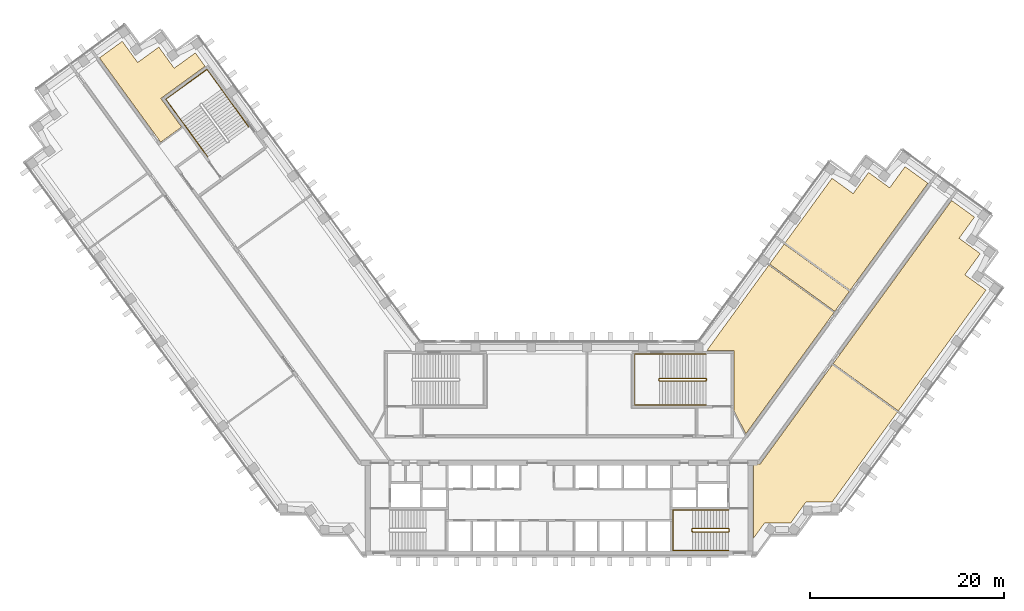
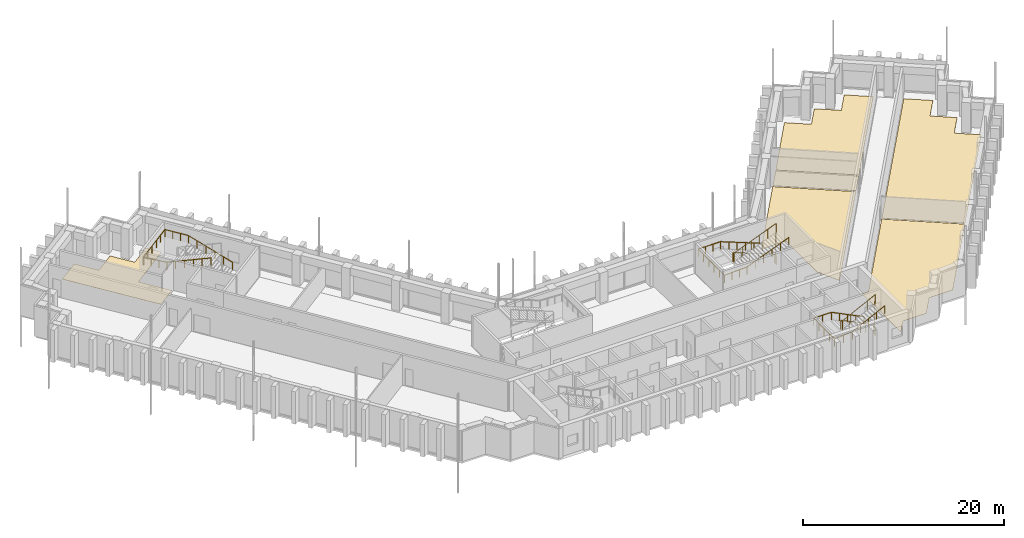
# One storey, part 16 of 16: 6 coverings, 5 railings.
"""IFC4 building model written with IfcOpenShell, lengths in metres."""

from ifc_helpers import new_model, si_unit, direction, frame, origin, origin_2d, place, context, subcontext, project, spatial, polyline, circle, outline, extrude, material, layer, layer_set, type_object, element, save


model = new_model("IFC4")

# Units and contexts
model_context = context("Model", 3, precision=1e-05, world=origin(), true_north=direction((0.0, 1.0)))
body_context = subcontext(model_context, "Body", "Model", "MODEL_VIEW")
ifc_project = project(units=[si_unit("LENGTHUNIT", "METRE"), si_unit("AREAUNIT", "SQUARE_METRE"), si_unit("VOLUMEUNIT", "CUBIC_METRE"), si_unit("PLANEANGLEUNIT", "RADIAN"), si_unit("MASSUNIT", "GRAM", prefix="KILO")], contexts=[model_context])

# Site, building, storey
site_placement = place(None, origin())
site = spatial("IfcSite", under=ifc_project, at=site_placement, CompositionType="ELEMENT")
building_placement = place(site_placement, origin())
building = spatial("IfcBuilding", under=site, at=building_placement, Name="Quipu Civic Tower", CompositionType="ELEMENT")
storey_placement = place(building_placement, frame((0.0, 0.0, 113.0)))
storey = spatial("IfcBuildingStorey", under=building, at=storey_placement, Name="L26", CompositionType="ELEMENT", Elevation=113.0)

# Coverings
ifc_material_1 = material(Name="Carpet tile on raised access floor")
ifc_layer_1 = layer(ifc_material_1, 0.02001953125)
ifc_layer_set_1 = layer_set([ifc_layer_1], Name="Carpet tile on raised access floor")
covering_type_1 = type_object("IfcCoveringType", Name="Carpet tile floor finish 20", PredefinedType="FLOORING", material=ifc_layer_set_1)
covering_1_placement = place(storey_placement, origin())
element("IfcCovering", 1, at=covering_1_placement, inside=storey, type_object=covering_type_1, Name="Carpet tile floor finish 20", PredefinedType="FLOORING", context=body_context, shape_type="SweptSolid", body=[
    extrude(outline(polyline([(15.238037109375, 10.169921875), (21.64794921875, 18.992919921875), (28.37109375, 14.10888671875), (19.27197265625, 1.583984375), (18.070068359375, 3.94189453125), (18.070068359375, 10.1689453125), (15.238037109375, 10.169921875)])), origin(), (0.0, 0.0, 1.0), 0.02001953125),
])
covering_2_placement = place(storey_placement, origin())
element("IfcCovering", 2, at=covering_2_placement, inside=storey, type_object=covering_type_1, Name="Carpet tile floor finish 20", PredefinedType="FLOORING", context=body_context, shape_type="SweptSolid", body=[
    extrude(outline(polyline([(20.070068359375, -9.195068359375), (20.070068359375, -1.52001953125), (20.77490234375, -1.51904296875), (28.208984375, 8.714111328125), (34.931884765625, 3.830078125), (28.181884765625, -5.4609375), (25.48193359375, -5.4619140625), (25.2080078125, -5.840087890625), (25.205078125, -5.841064453125), (25.200927734375, -5.843017578125), (25.197021484375, -5.844970703125), (25.193115234375, -5.847900390625), (25.18896484375, -5.85205078125), (25.18603515625, -5.85498046875), (25.18310546875, -5.85888671875), (25.179931640625, -5.863037109375), (25.177978515625, -5.867919921875), (25.177001953125, -5.8720703125), (25.175048828125, -5.876953125), (25.175048828125, -5.882080078125), (25.174072265625, -5.885986328125), (23.89501953125, -7.64599609375), (21.721923828125, -7.64599609375), (21.721923828125, -7.64599609375), (21.718017578125, -7.64306640625), (21.712890625, -7.64111328125), (21.708984375, -7.638916015625), (21.7041015625, -7.637939453125), (21.698974609375, -7.636962890625), (21.694091796875, -7.635986328125), (21.68896484375, -7.636962890625), (21.68408203125, -7.636962890625), (21.679931640625, -7.637939453125), (21.675048828125, -7.639892578125), (21.669921875, -7.64111328125), (21.666015625, -7.64404296875), (21.6630859375, -7.64599609375), (21.196044921875, -7.64599609375), (20.070068359375, -9.195068359375)])), origin(), (0.0, 0.0, 1.0), 0.02001953125),
])
covering_3_placement = place(storey_placement, origin())
element("IfcCovering", 3, at=covering_3_placement, inside=storey, type_object=covering_type_1, Name="Carpet tile floor finish 20", PredefinedType="FLOORING", context=body_context, shape_type="SweptSolid", body=[
    extrude(outline(polyline([(-47.471923828125, 40.39794921875), (-45.116943359375, 42.10791015625), (-43.531982421875, 39.925048828125), (-41.346923828125, 41.510986328125), (-39.760009765625, 39.326904296875), (-37.574951171875, 40.9130859375), (-36.570068359375, 39.530029296875), (-41.139892578125, 36.208984375), (-38.998046875, 33.260009765625), (-41.15087890625, 31.697021484375), (-47.471923828125, 40.39794921875)])), origin(), (0.0, 0.0, 1.0), 0.02001953125),
])
covering_4_placement = place(storey_placement, origin())
element("IfcCovering", 4, at=covering_4_placement, inside=storey, type_object=covering_type_1, Name="Carpet tile floor finish 20", PredefinedType="FLOORING", context=body_context, shape_type="SweptSolid", body=[
    extrude(outline(polyline([(28.2919921875, 8.826904296875), (40.52587890625, 25.666015625), (42.881103515625, 23.9560546875), (41.294921875, 21.77197265625), (43.47802734375, 20.18505859375), (41.89208984375, 17.9990234375), (44.074951171875, 16.4140625), (35.01611328125, 3.943115234375), (28.2919921875, 8.826904296875)])), origin(), (0.0, 0.0, 1.0), 0.02001953125),
])
ifc_material_2 = material(Name="Ceramic floor tile")
ifc_layer_2 = layer(ifc_material_2, 0.030029296875)
ifc_layer_set_2 = layer_set([ifc_layer_2], Name="Ceramic floor tile")
covering_type_2 = type_object("IfcCoveringType", Name="Ceramic tile floor finish 30", PredefinedType="FLOORING", material=ifc_layer_set_2)
covering_5_placement = place(storey_placement, origin())
element("IfcCovering", 5, at=covering_5_placement, inside=storey, type_object=covering_type_2, Name="Ceramic tile floor finish 30", PredefinedType="FLOORING", context=body_context, shape_type="SweptSolid", body=[
    extrude(outline(polyline([(21.73095703125, 19.10595703125), (23.235107421875, 21.177001953125), (29.9580078125, 16.29296875), (28.4541015625, 14.221923828125), (21.73095703125, 19.10595703125)])), origin(), (0.0, 0.0, 1.0), 0.030029296875),
])
ifc_material_3 = material(Name="Sealed cement screed")
ifc_layer_3 = layer(ifc_material_3, 0.050048828125)
ifc_layer_set_3 = layer_set([ifc_layer_3], Name="Sealed cement screed")
covering_type_3 = type_object("IfcCoveringType", Name="Sealed screed floor finish 50", PredefinedType="FLOORING", material=ifc_layer_set_3)
covering_6_placement = place(storey_placement, origin())
element("IfcCovering", 6, at=covering_6_placement, inside=storey, type_object=covering_type_3, Name="Sealed screed floor finish 50", PredefinedType="FLOORING", context=body_context, shape_type="SweptSolid", body=[
    extrude(outline(polyline([(23.318115234375, 21.2900390625), (28.169921875, 27.968994140625), (30.35400390625, 26.383056640625), (31.94091796875, 28.56591796875), (34.126953125, 26.97998046875), (35.712890625, 29.1640625), (38.06689453125, 27.4541015625), (30.041015625, 16.406005859375), (23.318115234375, 21.2900390625)])), origin(), (0.0, 0.0, 1.0), 0.050048828125),
])

# Railings
ifc_material_4 = material(Name="Stainless steel", Category="steel")
railing_type_1 = type_object("IfcRailingType", Name="Stair guard 1100", PredefinedType="GUARDRAIL", material=ifc_material_4)
railing_1_placement = place(storey_placement, frame((17.5, -8.199951171875, 0.15380859375)))
element("IfcRailing", 7, at=railing_1_placement, inside=storey, type_object=railing_type_1, Name="Stair 2 guard", PredefinedType="GUARDRAIL", context=body_context, shape_type="SweptSolid", body=[
    extrude(circle(Radius=0.02392578125, at=origin_2d()), frame((0.0, 0.0, 1.076171875), z_axis=(-0.895751851347, 0.0, 0.444554407028), x_axis=(0.0, -1.0, 0.0)), (0.0, 0.0, 1.0), 4.15283203125),
    extrude(circle(Radius=0.02392578125, at=origin_2d()), frame((-3.719970703125, 0.0, 2.92236328125), z_axis=(-0.707106781187, -0.707106781187, 0.0), x_axis=(0.707106781187, -0.707106781187, 0.0)), (0.0, 0.0, 1.0), 0.07080078125),
    extrude(circle(Radius=0.02392578125, at=origin_2d()), frame((-3.77001953125, -0.050048828125, 2.92236328125), z_axis=(0.0, -1.0, 0.0), x_axis=(1.0, 0.0, 0.0)), (0.0, 0.0, 1.0), 0.25),
    extrude(circle(Radius=0.02392578125, at=origin_2d()), frame((-3.77001953125, -0.300048828125, 2.92236328125), z_axis=(0.295599637079, -0.295599637079, 0.908428152975), x_axis=(0.707106781187, 0.707106781187, 0.0)), (0.0, 0.0, 1.0), 0.16943359375),
    extrude(circle(Radius=0.02392578125, at=origin_2d()), frame((-3.719970703125, -0.35009765625, 3.076171875), z_axis=(0.895751851347, 0.0, 0.444554407028), x_axis=(0.0, 1.0, 0.0)), (0.0, 0.0, 1.0), 4.15283203125),
    extrude(circle(Radius=0.02392578125, at=origin_2d()), frame((0.0, -0.35009765625, 4.92236328125), z_axis=(0.012476181752, 0.074796231092, -0.997120789425), x_axis=(-0.986372223864, 0.164529134168, 0.0)), (0.0, 0.0, 1.0), 4.011474609375),
    extrude(circle(Radius=0.02392578125, at=origin_2d()), frame((0.050048828125, -0.050048828125, 0.92236328125), z_axis=(0.0, -1.0, 0.0), x_axis=(1.0, 0.0, 0.0)), (0.0, 0.0, 1.0), 0.25),
    extrude(circle(Radius=0.02099609375, at=origin_2d()), origin(), (0.0, 0.0, 1.0), 1.052001953125),
    extrude(circle(Radius=0.02099609375, at=origin_2d()), frame((-0.929931640625, 0.0, 0.46142578125)), (0.0, 0.0, 1.0), 1.052001953125),
    extrude(circle(Radius=0.02099609375, at=origin_2d()), frame((-1.85986328125, 0.0, 0.923095703125)), (0.0, 0.0, 1.0), 1.052001953125),
    extrude(circle(Radius=0.02099609375, at=origin_2d()), frame((-2.7900390625, 0.0, 1.384765625)), (0.0, 0.0, 1.0), 1.052001953125),
    extrude(circle(Radius=0.02099609375, at=origin_2d()), frame((-3.719970703125, 0.0, 1.84619140625)), (0.0, 0.0, 1.0), 1.052001953125),
    extrude(circle(Radius=0.02099609375, at=origin_2d()), frame((-3.77001953125, -0.050048828125, 1.84619140625)), (0.0, 0.0, 1.0), 1.052001953125),
    extrude(circle(Radius=0.02099609375, at=origin_2d()), frame((-3.77001953125, -0.300048828125, 1.84619140625)), (0.0, 0.0, 1.0), 1.052001953125),
    extrude(circle(Radius=0.02099609375, at=origin_2d()), frame((-3.719970703125, -0.35009765625, 2.0)), (0.0, 0.0, 1.0), 1.052001953125),
    extrude(circle(Radius=0.02099609375, at=origin_2d()), frame((-2.7900390625, -0.35009765625, 2.46142578125)), (0.0, 0.0, 1.0), 1.052001953125),
    extrude(circle(Radius=0.02099609375, at=origin_2d()), frame((-1.85986328125, -0.35009765625, 2.923095703125)), (0.0, 0.0, 1.0), 1.052001953125),
    extrude(circle(Radius=0.02099609375, at=origin_2d()), frame((-0.929931640625, -0.35009765625, 3.384765625)), (0.0, 0.0, 1.0), 1.052001953125),
    extrude(circle(Radius=0.02099609375, at=origin_2d()), frame((0.0, -0.35009765625, 3.84619140625)), (0.0, 0.0, 1.0), 1.052001953125),
    extrude(circle(Radius=0.02099609375, at=origin_2d()), frame((0.012451171875, -0.275146484375, 2.84619140625)), (0.0, 0.0, 1.0), 1.052001953125),
    extrude(circle(Radius=0.02099609375, at=origin_2d()), frame((0.02490234375, -0.2001953125, 1.84619140625)), (0.0, 0.0, 1.0), 1.052001953125),
    extrude(circle(Radius=0.02099609375, at=origin_2d()), frame((0.03759765625, -0.125, 0.84619140625)), (0.0, 0.0, 1.0), 1.052001953125),
    extrude(circle(Radius=0.02099609375, at=origin_2d()), frame((0.050048828125, -0.050048828125, -0.15380859375)), (0.0, 0.0, 1.0), 1.052001953125),
    extrude(circle(Radius=0.02099609375, at=origin_2d()), frame((0.050048828125, -0.300048828125, -0.15380859375)), (0.0, 0.0, 1.0), 1.052001953125),
])
railing_2_placement = place(storey_placement, frame((15.14990234375, 7.300048828125, 0.11767578125)))
element("IfcRailing", 8, at=railing_2_placement, inside=storey, type_object=railing_type_1, Name="Stair 4 guard", PredefinedType="GUARDRAIL", context=body_context, shape_type="SweptSolid", body=[
    extrude(circle(Radius=0.02392578125, at=origin_2d()), frame((0.0, 0.0, 1.076171875), z_axis=(-0.930970042603, 0.0, 0.365095576219), x_axis=(0.0, -1.0, 0.0)), (0.0, 0.0, 1.0), 5.15576171875),
    extrude(circle(Radius=0.02392578125, at=origin_2d()), frame((-4.7998046875, 0.0, 2.95849609375), z_axis=(-0.707106781187, -0.707106781187, 0.0), x_axis=(0.707106781187, -0.707106781187, 0.0)), (0.0, 0.0, 1.0), 0.07080078125),
    extrude(circle(Radius=0.02392578125, at=origin_2d()), frame((-4.849853515625, -0.050048828125, 2.95849609375), z_axis=(0.0, -1.0, 0.0), x_axis=(1.0, 0.0, 0.0)), (0.0, 0.0, 1.0), 0.14990234375),
    extrude(circle(Radius=0.02392578125, at=origin_2d()), frame((-4.849853515625, -0.199951171875, 2.95849609375), z_axis=(0.364463019033, -0.364463019033, 0.856932561824), x_axis=(0.707106781187, 0.707106781187, 0.0)), (0.0, 0.0, 1.0), 0.13720703125),
    extrude(circle(Radius=0.02392578125, at=origin_2d()), frame((-4.7998046875, -0.25, 3.076171875), z_axis=(0.930970042603, 0.0, 0.365095576219), x_axis=(0.0, 1.0, 0.0)), (0.0, 0.0, 1.0), 5.15576171875),
    extrude(circle(Radius=0.02392578125, at=origin_2d()), frame((0.0, -0.25, 4.95849609375), z_axis=(0.012495627992, 0.049921557685, -0.998674970829), x_axis=(-0.970072785993, 0.242814311512, 0.0)), (0.0, 0.0, 1.0), 4.00537109375),
    extrude(circle(Radius=0.02392578125, at=origin_2d()), frame((0.050048828125, -0.050048828125, 0.95849609375), z_axis=(0.0, -1.0, 0.0), x_axis=(1.0, 0.0, 0.0)), (0.0, 0.0, 1.0), 0.14990234375),
    extrude(circle(Radius=0.02099609375, at=origin_2d()), origin(), (0.0, 0.0, 1.0), 1.052001953125),
    extrude(circle(Radius=0.02099609375, at=origin_2d()), frame((-0.9599609375, 0.0, 0.37646484375)), (0.0, 0.0, 1.0), 1.052001953125),
    extrude(circle(Radius=0.02099609375, at=origin_2d()), frame((-1.919921875, 0.0, 0.7529296875)), (0.0, 0.0, 1.0), 1.052001953125),
    extrude(circle(Radius=0.02099609375, at=origin_2d()), frame((-2.8798828125, 0.0, 1.12939453125)), (0.0, 0.0, 1.0), 1.052001953125),
    extrude(circle(Radius=0.02099609375, at=origin_2d()), frame((-3.83984375, 0.0, 1.505859375)), (0.0, 0.0, 1.0), 1.052001953125),
    extrude(circle(Radius=0.02099609375, at=origin_2d()), frame((-4.7998046875, 0.0, 1.88232421875)), (0.0, 0.0, 1.0), 1.052001953125),
    extrude(circle(Radius=0.02099609375, at=origin_2d()), frame((-4.849853515625, -0.050048828125, 1.88232421875)), (0.0, 0.0, 1.0), 1.052001953125),
    extrude(circle(Radius=0.02099609375, at=origin_2d()), frame((-4.849853515625, -0.199951171875, 1.88232421875)), (0.0, 0.0, 1.0), 1.052001953125),
    extrude(circle(Radius=0.02099609375, at=origin_2d()), frame((-4.7998046875, -0.25, 2.0)), (0.0, 0.0, 1.0), 1.052001953125),
    extrude(circle(Radius=0.02099609375, at=origin_2d()), frame((-3.83984375, -0.25, 2.37646484375)), (0.0, 0.0, 1.0), 1.052001953125),
    extrude(circle(Radius=0.02099609375, at=origin_2d()), frame((-2.8798828125, -0.25, 2.7529296875)), (0.0, 0.0, 1.0), 1.052001953125),
    extrude(circle(Radius=0.02099609375, at=origin_2d()), frame((-1.919921875, -0.25, 3.12939453125)), (0.0, 0.0, 1.0), 1.052001953125),
    extrude(circle(Radius=0.02099609375, at=origin_2d()), frame((-0.9599609375, -0.25, 3.505859375)), (0.0, 0.0, 1.0), 1.052001953125),
    extrude(circle(Radius=0.02099609375, at=origin_2d()), frame((0.0, -0.25, 3.88232421875)), (0.0, 0.0, 1.0), 1.052001953125),
    extrude(circle(Radius=0.02099609375, at=origin_2d()), frame((0.012451171875, -0.199951171875, 2.88232421875)), (0.0, 0.0, 1.0), 1.052001953125),
    extrude(circle(Radius=0.02099609375, at=origin_2d()), frame((0.02490234375, -0.14990234375, 1.88232421875)), (0.0, 0.0, 1.0), 1.052001953125),
    extrude(circle(Radius=0.02099609375, at=origin_2d()), frame((0.03759765625, -0.10009765625, 0.88232421875)), (0.0, 0.0, 1.0), 1.052001953125),
    extrude(circle(Radius=0.02099609375, at=origin_2d()), frame((0.050048828125, -0.050048828125, -0.11767578125)), (0.0, 0.0, 1.0), 1.052001953125),
    extrude(circle(Radius=0.02099609375, at=origin_2d()), frame((0.050048828125, -0.199951171875, -0.11767578125)), (0.0, 0.0, 1.0), 1.052001953125),
])
ifc_material_5 = material(Name="Stainless steel", Category="steel")
railing_type_2 = type_object("IfcRailingType", Name="Stair handrail", PredefinedType="HANDRAIL", material=ifc_material_5)
railing_3_placement = place(storey_placement, frame((17.5, -6.300048828125, 0.15380859375)))
element("IfcRailing", 9, at=railing_3_placement, inside=storey, type_object=railing_type_2, Name="Stair 2 handrail", PredefinedType="HANDRAIL", context=body_context, shape_type="SweptSolid", body=[
    extrude(circle(Radius=0.02392578125, at=origin_2d()), frame((0.0, 0.0, 0.8759765625), z_axis=(-0.895751851347, 0.0, 0.444554407028), x_axis=(0.0, -1.0, 0.0)), (0.0, 0.0, 1.0), 4.15283203125),
    extrude(circle(Radius=0.02392578125, at=origin_2d()), frame((-3.719970703125, 0.0, 2.72216796875), z_axis=(-1.0, 0.0, 0.0), x_axis=(0.0, -1.0, 0.0)), (0.0, 0.0, 1.0), 2.030029296875),
    extrude(circle(Radius=0.02392578125, at=origin_2d()), frame((-5.75, 0.0, 2.72216796875), z_axis=(0.0, -1.0, 0.0), x_axis=(1.0, 0.0, 0.0)), (0.0, 0.0, 1.0), 4.14990234375),
    extrude(circle(Radius=0.02392578125, at=origin_2d()), frame((-5.75, -4.14990234375, 2.72216796875), z_axis=(0.997142003663, 0.0, 0.075550145798), x_axis=(0.0, 1.0, 0.0)), (0.0, 0.0, 1.0), 2.035888671875),
    extrude(circle(Radius=0.02392578125, at=origin_2d()), frame((-3.719970703125, -4.14990234375, 2.8759765625), z_axis=(0.895751851347, 0.0, 0.444554407028), x_axis=(0.0, 1.0, 0.0)), (0.0, 0.0, 1.0), 4.15283203125),
    extrude(circle(Radius=0.02099609375, at=origin_2d()), origin(), (0.0, 0.0, 1.0), 0.851806640625),
    extrude(circle(Radius=0.02099609375, at=origin_2d()), frame((-0.929931640625, 0.0, 0.46142578125)), (0.0, 0.0, 1.0), 0.851806640625),
    extrude(circle(Radius=0.02099609375, at=origin_2d()), frame((-1.85986328125, 0.0, 0.923095703125)), (0.0, 0.0, 1.0), 0.851806640625),
    extrude(circle(Radius=0.02099609375, at=origin_2d()), frame((-2.7900390625, 0.0, 1.384765625)), (0.0, 0.0, 1.0), 0.851806640625),
    extrude(circle(Radius=0.02099609375, at=origin_2d()), frame((-3.719970703125, 0.0, 1.84619140625)), (0.0, 0.0, 1.0), 0.851806640625),
    extrude(circle(Radius=0.02099609375, at=origin_2d()), frame((-4.73486328125, 0.0, 1.84619140625)), (0.0, 0.0, 1.0), 0.851806640625),
    extrude(circle(Radius=0.02099609375, at=origin_2d()), frame((-5.75, 0.0, 1.84619140625)), (0.0, 0.0, 1.0), 0.851806640625),
    extrude(circle(Radius=0.02099609375, at=origin_2d()), frame((-5.75, -1.03759765625, 1.84619140625)), (0.0, 0.0, 1.0), 0.851806640625),
    extrude(circle(Radius=0.02099609375, at=origin_2d()), frame((-5.75, -2.074951171875, 1.84619140625)), (0.0, 0.0, 1.0), 0.851806640625),
    extrude(circle(Radius=0.02099609375, at=origin_2d()), frame((-5.75, -3.1123046875, 1.84619140625)), (0.0, 0.0, 1.0), 0.851806640625),
    extrude(circle(Radius=0.02099609375, at=origin_2d()), frame((-5.75, -4.14990234375, 1.84619140625)), (0.0, 0.0, 1.0), 0.851806640625),
    extrude(circle(Radius=0.02099609375, at=origin_2d()), frame((-4.73486328125, -4.14990234375, 1.923095703125)), (0.0, 0.0, 1.0), 0.851806640625),
    extrude(circle(Radius=0.02099609375, at=origin_2d()), frame((-3.719970703125, -4.14990234375, 2.0)), (0.0, 0.0, 1.0), 0.851806640625),
    extrude(circle(Radius=0.02099609375, at=origin_2d()), frame((-2.7900390625, -4.14990234375, 2.46142578125)), (0.0, 0.0, 1.0), 0.851806640625),
    extrude(circle(Radius=0.02099609375, at=origin_2d()), frame((-1.85986328125, -4.14990234375, 2.923095703125)), (0.0, 0.0, 1.0), 0.851806640625),
    extrude(circle(Radius=0.02099609375, at=origin_2d()), frame((-0.929931640625, -4.14990234375, 3.384765625)), (0.0, 0.0, 1.0), 0.851806640625),
    extrude(circle(Radius=0.02099609375, at=origin_2d()), frame((0.0, -4.14990234375, 3.84619140625)), (0.0, 0.0, 1.0), 0.851806640625),
])
railing_4_placement = place(storey_placement, frame((15.14990234375, 9.800048828125, 0.11767578125)))
element("IfcRailing", 10, at=railing_4_placement, inside=storey, type_object=railing_type_2, Name="Stair 4 handrail", PredefinedType="HANDRAIL", context=body_context, shape_type="SweptSolid", body=[
    extrude(circle(Radius=0.02392578125, at=origin_2d()), frame((0.0, 0.0, 0.8759765625), z_axis=(-0.930970042603, 0.0, 0.365095576219), x_axis=(0.0, -1.0, 0.0)), (0.0, 0.0, 1.0), 5.15576171875),
    extrude(circle(Radius=0.02392578125, at=origin_2d()), frame((-4.7998046875, 0.0, 2.75830078125), z_axis=(-1.0, 0.0, 0.0), x_axis=(0.0, -1.0, 0.0)), (0.0, 0.0, 1.0), 2.550048828125),
    extrude(circle(Radius=0.02392578125, at=origin_2d()), frame((-7.349853515625, 0.0, 2.75830078125), z_axis=(0.0, -1.0, 0.0), x_axis=(1.0, 0.0, 0.0)), (0.0, 0.0, 1.0), 5.25),
    extrude(circle(Radius=0.02392578125, at=origin_2d()), frame((-7.349853515625, -5.25, 2.75830078125), z_axis=(0.998936948642, 0.0, 0.04609742549), x_axis=(0.0, 1.0, 0.0)), (0.0, 0.0, 1.0), 2.552734375),
    extrude(circle(Radius=0.02392578125, at=origin_2d()), frame((-4.7998046875, -5.25, 2.8759765625), z_axis=(0.930970042603, 0.0, 0.365095576219), x_axis=(0.0, 1.0, 0.0)), (0.0, 0.0, 1.0), 5.15576171875),
    extrude(circle(Radius=0.02099609375, at=origin_2d()), origin(), (0.0, 0.0, 1.0), 0.851806640625),
    extrude(circle(Radius=0.02099609375, at=origin_2d()), frame((-0.9599609375, 0.0, 0.37646484375)), (0.0, 0.0, 1.0), 0.851806640625),
    extrude(circle(Radius=0.02099609375, at=origin_2d()), frame((-1.919921875, 0.0, 0.7529296875)), (0.0, 0.0, 1.0), 0.851806640625),
    extrude(circle(Radius=0.02099609375, at=origin_2d()), frame((-2.8798828125, 0.0, 1.12939453125)), (0.0, 0.0, 1.0), 0.851806640625),
    extrude(circle(Radius=0.02099609375, at=origin_2d()), frame((-3.83984375, 0.0, 1.505859375)), (0.0, 0.0, 1.0), 0.851806640625),
    extrude(circle(Radius=0.02099609375, at=origin_2d()), frame((-4.7998046875, 0.0, 1.88232421875)), (0.0, 0.0, 1.0), 0.851806640625),
    extrude(circle(Radius=0.02099609375, at=origin_2d()), frame((-5.64990234375, 0.0, 1.88232421875)), (0.0, 0.0, 1.0), 0.851806640625),
    extrude(circle(Radius=0.02099609375, at=origin_2d()), frame((-6.499755859375, 0.0, 1.88232421875)), (0.0, 0.0, 1.0), 0.851806640625),
    extrude(circle(Radius=0.02099609375, at=origin_2d()), frame((-7.349853515625, 0.0, 1.88232421875)), (0.0, 0.0, 1.0), 0.851806640625),
    extrude(circle(Radius=0.02099609375, at=origin_2d()), frame((-7.349853515625, -1.050048828125, 1.88232421875)), (0.0, 0.0, 1.0), 0.851806640625),
    extrude(circle(Radius=0.02099609375, at=origin_2d()), frame((-7.349853515625, -2.10009765625, 1.88232421875)), (0.0, 0.0, 1.0), 0.851806640625),
    extrude(circle(Radius=0.02099609375, at=origin_2d()), frame((-7.349853515625, -3.14990234375, 1.88232421875)), (0.0, 0.0, 1.0), 0.851806640625),
    extrude(circle(Radius=0.02099609375, at=origin_2d()), frame((-7.349853515625, -4.199951171875, 1.88232421875)), (0.0, 0.0, 1.0), 0.851806640625),
    extrude(circle(Radius=0.02099609375, at=origin_2d()), frame((-7.349853515625, -5.25, 1.88232421875)), (0.0, 0.0, 1.0), 0.851806640625),
    extrude(circle(Radius=0.02099609375, at=origin_2d()), frame((-6.499755859375, -5.25, 1.921630859375)), (0.0, 0.0, 1.0), 0.851806640625),
    extrude(circle(Radius=0.02099609375, at=origin_2d()), frame((-5.64990234375, -5.25, 1.960693359375)), (0.0, 0.0, 1.0), 0.851806640625),
    extrude(circle(Radius=0.02099609375, at=origin_2d()), frame((-4.7998046875, -5.25, 2.0)), (0.0, 0.0, 1.0), 0.851806640625),
    extrude(circle(Radius=0.02099609375, at=origin_2d()), frame((-3.83984375, -5.25, 2.37646484375)), (0.0, 0.0, 1.0), 0.851806640625),
    extrude(circle(Radius=0.02099609375, at=origin_2d()), frame((-2.8798828125, -5.25, 2.7529296875)), (0.0, 0.0, 1.0), 0.851806640625),
    extrude(circle(Radius=0.02099609375, at=origin_2d()), frame((-1.919921875, -5.25, 3.12939453125)), (0.0, 0.0, 1.0), 0.851806640625),
    extrude(circle(Radius=0.02099609375, at=origin_2d()), frame((-0.9599609375, -5.25, 3.505859375)), (0.0, 0.0, 1.0), 0.851806640625),
    extrude(circle(Radius=0.02099609375, at=origin_2d()), frame((0.0, -5.25, 3.88232421875)), (0.0, 0.0, 1.0), 0.851806640625),
])
railing_5_placement = place(storey_placement, frame((-32.056396484375, 33.266845703125, 0.11767578125)))
element("IfcRailing", 11, at=railing_5_placement, inside=storey, type_object=railing_type_2, Name="Stair 6 handrail", PredefinedType="HANDRAIL", context=body_context, shape_type="SweptSolid", body=[
    extrude(circle(Radius=0.02392578125, at=origin_2d()), frame((0.0, 0.0, 0.8759765625), z_axis=(-0.54720100349, 0.753182689643, 0.365084781664), x_axis=(-0.809026317077, -0.587772420479, 0.0)), (0.0, 0.0, 1.0), 5.15576171875),
    extrude(circle(Radius=0.02392578125, at=origin_2d()), frame((-2.8212890625, 3.88330078125, 2.75830078125), z_axis=(-0.587767432704, 0.809029940764, 0.0), x_axis=(-0.809029940764, -0.587767432704, 0.0)), (0.0, 0.0, 1.0), 2.550048828125),
    extrude(circle(Radius=0.02392578125, at=origin_2d()), frame((-4.320068359375, 5.9462890625, 2.75830078125), z_axis=(-0.809009483706, -0.587795589702, 0.0), x_axis=(0.587795589702, -0.809009483706, 0.0)), (0.0, 0.0, 1.0), 5.25),
    extrude(circle(Radius=0.02392578125, at=origin_2d()), frame((-8.5673828125, 2.8603515625, 2.75830078125), z_axis=(0.587142558822, -0.808169835812, 0.046099155132), x_axis=(0.809029940764, 0.587767432704, 0.0)), (0.0, 0.0, 1.0), 2.552734375),
    extrude(circle(Radius=0.02392578125, at=origin_2d()), frame((-7.068603515625, 0.79736328125, 2.8759765625), z_axis=(0.54720100349, -0.753182689643, 0.365084781664), x_axis=(0.809026317077, 0.587772420479, 0.0)), (0.0, 0.0, 1.0), 5.15576171875),
    extrude(circle(Radius=0.02099609375, at=origin_2d()), origin(), (0.0, 0.0, 1.0), 0.851806640625),
    extrude(circle(Radius=0.02099609375, at=origin_2d()), frame((-0.564208984375, 0.776611328125, 0.37646484375)), (0.0, 0.0, 1.0), 0.851806640625),
    extrude(circle(Radius=0.02099609375, at=origin_2d()), frame((-1.12841796875, 1.55322265625, 0.7529296875)), (0.0, 0.0, 1.0), 0.851806640625),
    extrude(circle(Radius=0.02099609375, at=origin_2d()), frame((-1.69287109375, 2.330078125, 1.12939453125)), (0.0, 0.0, 1.0), 0.851806640625),
    extrude(circle(Radius=0.02099609375, at=origin_2d()), frame((-2.257080078125, 3.106689453125, 1.505859375)), (0.0, 0.0, 1.0), 0.851806640625),
    extrude(circle(Radius=0.02099609375, at=origin_2d()), frame((-2.8212890625, 3.88330078125, 1.88232421875)), (0.0, 0.0, 1.0), 0.851806640625),
    extrude(circle(Radius=0.02099609375, at=origin_2d()), frame((-3.32080078125, 4.571044921875, 1.88232421875)), (0.0, 0.0, 1.0), 0.851806640625),
    extrude(circle(Radius=0.02099609375, at=origin_2d()), frame((-3.820556640625, 5.258544921875, 1.88232421875)), (0.0, 0.0, 1.0), 0.851806640625),
    extrude(circle(Radius=0.02099609375, at=origin_2d()), frame((-4.320068359375, 5.9462890625, 1.88232421875)), (0.0, 0.0, 1.0), 0.851806640625),
    extrude(circle(Radius=0.02099609375, at=origin_2d()), frame((-5.16943359375, 5.3291015625, 1.88232421875)), (0.0, 0.0, 1.0), 0.851806640625),
    extrude(circle(Radius=0.02099609375, at=origin_2d()), frame((-6.01904296875, 4.7119140625, 1.88232421875)), (0.0, 0.0, 1.0), 0.851806640625),
    extrude(circle(Radius=0.02099609375, at=origin_2d()), frame((-6.868408203125, 4.0947265625, 1.88232421875)), (0.0, 0.0, 1.0), 0.851806640625),
    extrude(circle(Radius=0.02099609375, at=origin_2d()), frame((-7.718017578125, 3.4775390625, 1.88232421875)), (0.0, 0.0, 1.0), 0.851806640625),
    extrude(circle(Radius=0.02099609375, at=origin_2d()), frame((-8.5673828125, 2.8603515625, 1.88232421875)), (0.0, 0.0, 1.0), 0.851806640625),
    extrude(circle(Radius=0.02099609375, at=origin_2d()), frame((-8.06787109375, 2.172607421875, 1.921630859375)), (0.0, 0.0, 1.0), 0.851806640625),
    extrude(circle(Radius=0.02099609375, at=origin_2d()), frame((-7.568115234375, 1.485107421875, 1.960693359375)), (0.0, 0.0, 1.0), 0.851806640625),
    extrude(circle(Radius=0.02099609375, at=origin_2d()), frame((-7.068603515625, 0.79736328125, 2.0)), (0.0, 0.0, 1.0), 0.851806640625),
    extrude(circle(Radius=0.02099609375, at=origin_2d()), frame((-6.50439453125, 0.020751953125, 2.37646484375)), (0.0, 0.0, 1.0), 0.851806640625),
    extrude(circle(Radius=0.02099609375, at=origin_2d()), frame((-5.940185546875, -0.755859375, 2.7529296875)), (0.0, 0.0, 1.0), 0.851806640625),
    extrude(circle(Radius=0.02099609375, at=origin_2d()), frame((-5.375732421875, -1.53271484375, 3.12939453125)), (0.0, 0.0, 1.0), 0.851806640625),
    extrude(circle(Radius=0.02099609375, at=origin_2d()), frame((-4.8115234375, -2.309326171875, 3.505859375)), (0.0, 0.0, 1.0), 0.851806640625),
    extrude(circle(Radius=0.02099609375, at=origin_2d()), frame((-4.247314453125, -3.0859375, 3.88232421875)), (0.0, 0.0, 1.0), 0.851806640625),
])

save(model, "model.ifc")
